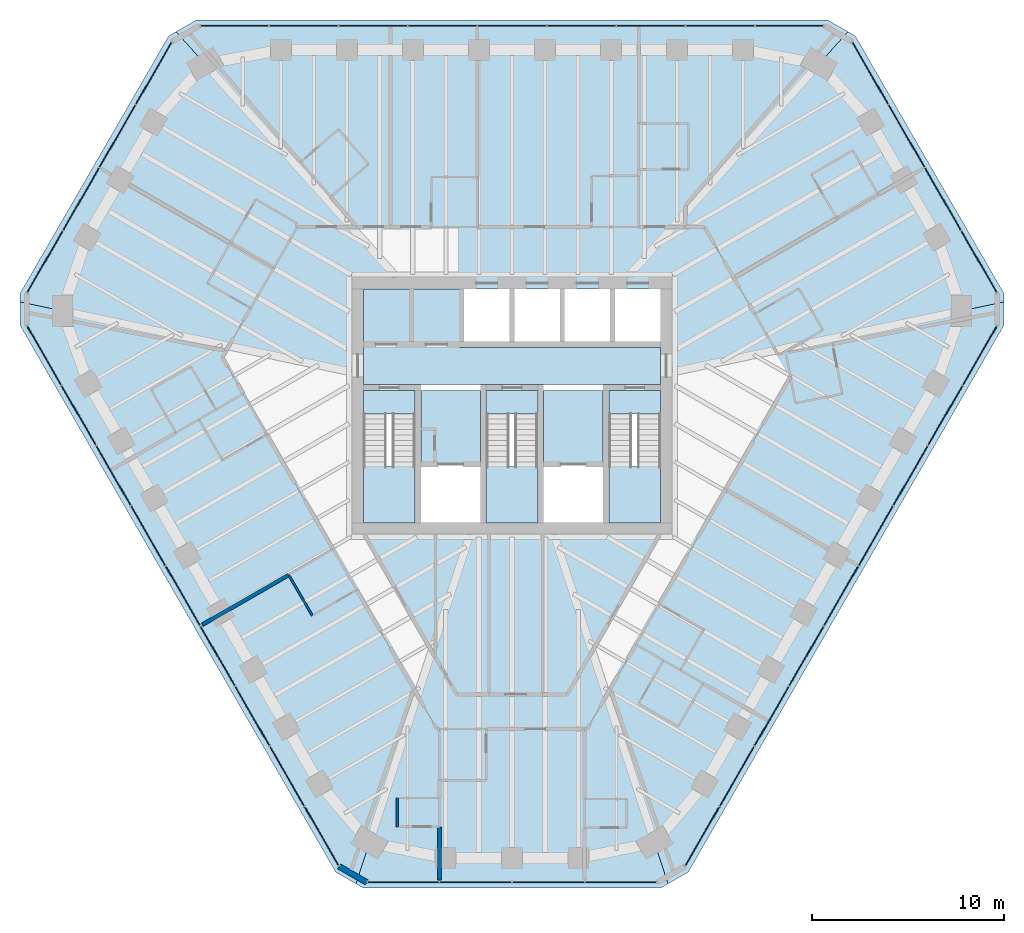
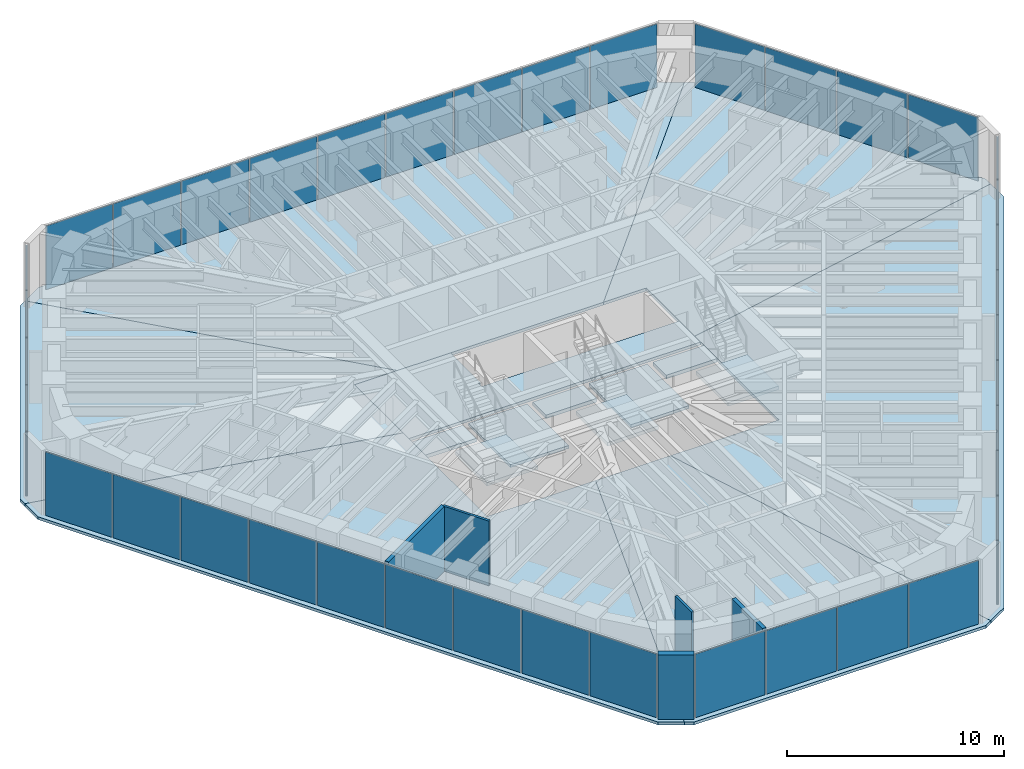
# One storey, part 8 of 14: 39 plates, 15 slabs, 5 walls, 9 elements without a shape of their own.
"""IFC4 building model written with IfcOpenShell, lengths in metres."""

from ifc_helpers import new_model, si_unit, direction, frame, frame_2d, origin, origin_2d, place, context, subcontext, project, spatial, polyline, rectangle, outline, extrude, material, layer, layer_set, type_object, element, aggregate, save


model = new_model("IFC4")

# Units and contexts
model_context = context("Model", 3, precision=1e-05, world=origin(), true_north=direction((0.0, 1.0)))
body_context = subcontext(model_context, "Body", "Model", "MODEL_VIEW")
ifc_project = project(units=[si_unit("LENGTHUNIT", "METRE"), si_unit("AREAUNIT", "SQUARE_METRE"), si_unit("VOLUMEUNIT", "CUBIC_METRE"), si_unit("PLANEANGLEUNIT", "RADIAN"), si_unit("MASSUNIT", "GRAM", prefix="KILO")], contexts=[model_context])

# Site, building, storey
site_placement = place(None, origin())
site = spatial("IfcSite", under=ifc_project, at=site_placement, CompositionType="ELEMENT")
building_placement = place(site_placement, origin())
building = spatial("IfcBuilding", under=site, at=building_placement, Name="Sandreach Pilgrim Tower", CompositionType="ELEMENT")
storey_placement = place(building_placement, frame((0.0, 0.0, 268.39990234375)))
storey = spatial("IfcBuildingStorey", under=building, at=storey_placement, Name="L67", CompositionType="ELEMENT", Elevation=268.39990234375)

# Curtain wall, plates
ifc_material_1 = material(Name="Aluminium framed curtain wall", Category="aluminium")
curtain_wall_type = type_object("IfcCurtainWallType", Name="Suite tower curtain wall", PredefinedType="NOTDEFINED", material=ifc_material_1)
curtain_wall_1_placement = place(storey_placement, origin())
curtain_wall_1 = element("IfcCurtainWall", 1, at=curtain_wall_1_placement, inside=storey, type_object=curtain_wall_type, Name="CW-4 L67 N", PredefinedType="NOTDEFINED")
ifc_material_2 = material(Name="Insulating glass unit 16.76 laminated + 24 argon + 16.76 laminated", Category="glass")
ifc_layer_1 = layer(ifc_material_2, 0.05810546875)
ifc_layer_set_1 = layer_set([ifc_layer_1], Name="CW-4 panel")
plate_type = type_object("IfcPlateType", Name="CW-4 panel", PredefinedType="CURTAIN_PANEL", material=ifc_layer_set_1)
plate_1_placement = place(storey_placement, frame((-14.472412109375, 19.826416015625, 0.0), z_axis=(0.0, 0.0, 1.0), x_axis=(1.0, 0.0, 0.0)))
plate_1 = element("IfcPlate", 2, at=plate_1_placement, type_object=plate_type, Name="CW-4 panel 1", PredefinedType="CURTAIN_PANEL", context=body_context, shape_type="SweptSolid", body=[
    extrude(rectangle(XDim=3.531982421875, YDim=0.05810546875, at=origin_2d()), origin(), (0.0, 0.0, 1.0), 3.570068359375),
])
plate_2_placement = place(storey_placement, frame((-10.865478515625, 19.826416015625, 0.0), z_axis=(0.0, 0.0, 1.0), x_axis=(1.0, 0.0, 0.0)))
plate_2 = element("IfcPlate", 3, at=plate_2_placement, type_object=plate_type, Name="CW-4 panel 2", PredefinedType="CURTAIN_PANEL", context=body_context, shape_type="SweptSolid", body=[
    extrude(rectangle(XDim=3.561767578125, YDim=0.05810546875, at=origin_2d()), origin(), (0.0, 0.0, 1.0), 3.570068359375),
])
plate_3_placement = place(storey_placement, frame((-7.24365234375, 19.826416015625, 0.0), z_axis=(0.0, 0.0, 1.0), x_axis=(1.0, 0.0, 0.0)))
plate_3 = element("IfcPlate", 4, at=plate_3_placement, type_object=plate_type, Name="CW-4 panel 3", PredefinedType="CURTAIN_PANEL", context=body_context, shape_type="SweptSolid", body=[
    extrude(rectangle(XDim=3.561767578125, YDim=0.05810546875, at=origin_2d()), origin(), (0.0, 0.0, 1.0), 3.570068359375),
])
plate_4_placement = place(storey_placement, frame((-3.621826171875, 19.826416015625, 0.0), z_axis=(0.0, 0.0, 1.0), x_axis=(1.0, 0.0, 0.0)))
plate_4 = element("IfcPlate", 5, at=plate_4_placement, type_object=plate_type, Name="CW-4 panel 4", PredefinedType="CURTAIN_PANEL", context=body_context, shape_type="SweptSolid", body=[
    extrude(rectangle(XDim=3.561767578125, YDim=0.05810546875, at=origin_2d()), origin(), (0.0, 0.0, 1.0), 3.570068359375),
])
plate_5_placement = place(storey_placement, frame((0.0, 19.826416015625, 0.0), z_axis=(0.0, 0.0, 1.0), x_axis=(1.0, 0.0, 0.0)))
plate_5 = element("IfcPlate", 6, at=plate_5_placement, type_object=plate_type, Name="CW-4 panel 5", PredefinedType="CURTAIN_PANEL", context=body_context, shape_type="SweptSolid", body=[
    extrude(rectangle(XDim=3.561767578125, YDim=0.05810546875, at=origin_2d()), origin(), (0.0, 0.0, 1.0), 3.570068359375),
])
plate_6_placement = place(storey_placement, frame((3.621826171875, 19.826416015625, 0.0), z_axis=(0.0, 0.0, 1.0), x_axis=(1.0, 0.0, 0.0)))
plate_6 = element("IfcPlate", 7, at=plate_6_placement, type_object=plate_type, Name="CW-4 panel 6", PredefinedType="CURTAIN_PANEL", context=body_context, shape_type="SweptSolid", body=[
    extrude(rectangle(XDim=3.561767578125, YDim=0.05810546875, at=origin_2d()), origin(), (0.0, 0.0, 1.0), 3.570068359375),
])
plate_7_placement = place(storey_placement, frame((7.24365234375, 19.826416015625, 0.0), z_axis=(0.0, 0.0, 1.0), x_axis=(1.0, 0.0, 0.0)))
plate_7 = element("IfcPlate", 8, at=plate_7_placement, type_object=plate_type, Name="CW-4 panel 7", PredefinedType="CURTAIN_PANEL", context=body_context, shape_type="SweptSolid", body=[
    extrude(rectangle(XDim=3.561767578125, YDim=0.05810546875, at=origin_2d()), origin(), (0.0, 0.0, 1.0), 3.570068359375),
])
plate_8_placement = place(storey_placement, frame((10.865478515625, 19.826416015625, 0.0), z_axis=(0.0, 0.0, 1.0), x_axis=(1.0, 0.0, 0.0)))
plate_8 = element("IfcPlate", 9, at=plate_8_placement, type_object=plate_type, Name="CW-4 panel 8", PredefinedType="CURTAIN_PANEL", context=body_context, shape_type="SweptSolid", body=[
    extrude(rectangle(XDim=3.561767578125, YDim=0.05810546875, at=origin_2d()), origin(), (0.0, 0.0, 1.0), 3.570068359375),
])
plate_9_placement = place(storey_placement, frame((14.472412109375, 19.826416015625, 0.0), z_axis=(0.0, 0.0, 1.0), x_axis=(1.0, 0.0, 0.0)))
plate_9 = element("IfcPlate", 10, at=plate_9_placement, type_object=plate_type, Name="CW-4 panel 9", PredefinedType="CURTAIN_PANEL", context=body_context, shape_type="SweptSolid", body=[
    extrude(rectangle(XDim=3.531982421875, YDim=0.05810546875, at=origin_2d()), origin(), (0.0, 0.0, 1.0), 3.570068359375),
])
aggregate(curtain_wall_1, [plate_1, plate_2, plate_3, plate_4, plate_5, plate_6, plate_7, plate_8, plate_9])

curtain_wall_2_placement = place(storey_placement, origin())
curtain_wall_2 = element("IfcCurtainWall", 11, at=curtain_wall_2_placement, inside=storey, type_object=curtain_wall_type, Name="CW-4 L67 NE", PredefinedType="NOTDEFINED")
plate_10_placement = place(storey_placement, frame((18.69140625, 17.341552734375, 0.0), z_axis=(0.0, 0.0, 1.0), x_axis=(0.5, -0.866025403784, 0.0)))
plate_10 = element("IfcPlate", 12, at=plate_10_placement, type_object=plate_type, Name="CW-4 panel 1", PredefinedType="CURTAIN_PANEL", context=body_context, shape_type="SweptSolid", body=[
    extrude(rectangle(XDim=3.70166015625, YDim=0.05810546875, at=origin_2d()), origin(), (0.0, 0.0, 1.0), 3.570068359375),
])
plate_11_placement = place(storey_placement, frame((20.579833984375, 14.07080078125, 0.0), z_axis=(0.0, 0.0, 1.0), x_axis=(0.5, -0.866025403784, 0.0)))
plate_11 = element("IfcPlate", 13, at=plate_11_placement, type_object=plate_type, Name="CW-4 panel 2", PredefinedType="CURTAIN_PANEL", context=body_context, shape_type="SweptSolid", body=[
    extrude(rectangle(XDim=3.731689453125, YDim=0.05810546875, at=origin_2d()), origin(), (0.0, 0.0, 1.0), 3.570068359375),
])
plate_12_placement = place(storey_placement, frame((22.4755859375, 10.787109375, 0.0), z_axis=(0.0, 0.0, 1.0), x_axis=(0.5, -0.866025403784, 0.0)))
plate_12 = element("IfcPlate", 14, at=plate_12_placement, type_object=plate_type, Name="CW-4 panel 3", PredefinedType="CURTAIN_PANEL", context=body_context, shape_type="SweptSolid", body=[
    extrude(rectangle(XDim=3.731689453125, YDim=0.05810546875, at=origin_2d()), origin(), (0.0, 0.0, 1.0), 3.570068359375),
])
plate_13_placement = place(storey_placement, frame((24.364013671875, 7.516357421875, 0.0), z_axis=(0.0, 0.0, 1.0), x_axis=(0.5, -0.866025403784, 0.0)))
plate_13 = element("IfcPlate", 15, at=plate_13_placement, type_object=plate_type, Name="CW-4 panel 4", PredefinedType="CURTAIN_PANEL", context=body_context, shape_type="SweptSolid", body=[
    extrude(rectangle(XDim=3.70166015625, YDim=0.05810546875, at=origin_2d()), origin(), (0.0, 0.0, 1.0), 3.570068359375),
])
aggregate(curtain_wall_2, [plate_10, plate_11, plate_12, plate_13])

curtain_wall_3_placement = place(storey_placement, origin())
curtain_wall_3 = element("IfcCurtainWall", 16, at=curtain_wall_3_placement, inside=storey, type_object=curtain_wall_type, Name="CW-4 L67 SE", PredefinedType="NOTDEFINED")
plate_14_placement = place(storey_placement, frame((24.406494140625, 2.620361328125, 0.0), z_axis=(0.0, 0.0, 1.0), x_axis=(-0.5, -0.866025403784, 0.0)))
plate_14 = element("IfcPlate", 17, at=plate_14_placement, type_object=plate_type, Name="CW-4 panel 1", PredefinedType="CURTAIN_PANEL", context=body_context, shape_type="SweptSolid", body=[
    extrude(rectangle(XDim=3.531982421875, YDim=0.05810546875, at=origin_2d()), origin(), (0.0, 0.0, 1.0), 3.570068359375),
])
plate_15_placement = place(storey_placement, frame((22.60302734375, -0.50341796875, 0.0), z_axis=(0.0, 0.0, 1.0), x_axis=(-0.5, -0.866025403784, 0.0)))
plate_15 = element("IfcPlate", 18, at=plate_15_placement, type_object=plate_type, Name="CW-4 panel 2", PredefinedType="CURTAIN_PANEL", context=body_context, shape_type="SweptSolid", body=[
    extrude(rectangle(XDim=3.561767578125, YDim=0.05810546875, at=origin_2d()), origin(), (0.0, 0.0, 1.0), 3.570068359375),
])
plate_16_placement = place(storey_placement, frame((20.7919921875, -3.639892578125, 0.0), z_axis=(0.0, 0.0, 1.0), x_axis=(-0.5, -0.866025403784, 0.0)))
plate_16 = element("IfcPlate", 19, at=plate_16_placement, type_object=plate_type, Name="CW-4 panel 3", PredefinedType="CURTAIN_PANEL", context=body_context, shape_type="SweptSolid", body=[
    extrude(rectangle(XDim=3.561767578125, YDim=0.05810546875, at=origin_2d()), origin(), (0.0, 0.0, 1.0), 3.570068359375),
])
plate_17_placement = place(storey_placement, frame((18.981201171875, -6.776611328125, 0.0), z_axis=(0.0, 0.0, 1.0), x_axis=(-0.5, -0.866025403784, 0.0)))
plate_17 = element("IfcPlate", 20, at=plate_17_placement, type_object=plate_type, Name="CW-4 panel 4", PredefinedType="CURTAIN_PANEL", context=body_context, shape_type="SweptSolid", body=[
    extrude(rectangle(XDim=3.561767578125, YDim=0.05810546875, at=origin_2d()), origin(), (0.0, 0.0, 1.0), 3.570068359375),
])
plate_18_placement = place(storey_placement, frame((17.170166015625, -9.913330078125, 0.0), z_axis=(0.0, 0.0, 1.0), x_axis=(-0.5, -0.866025403784, 0.0)))
plate_18 = element("IfcPlate", 21, at=plate_18_placement, type_object=plate_type, Name="CW-4 panel 5", PredefinedType="CURTAIN_PANEL", context=body_context, shape_type="SweptSolid", body=[
    extrude(rectangle(XDim=3.561767578125, YDim=0.05810546875, at=origin_2d()), origin(), (0.0, 0.0, 1.0), 3.570068359375),
])
plate_19_placement = place(storey_placement, frame((15.359375, -13.0498046875, 0.0), z_axis=(0.0, 0.0, 1.0), x_axis=(-0.5, -0.866025403784, 0.0)))
plate_19 = element("IfcPlate", 22, at=plate_19_placement, type_object=plate_type, Name="CW-4 panel 6", PredefinedType="CURTAIN_PANEL", context=body_context, shape_type="SweptSolid", body=[
    extrude(rectangle(XDim=3.561767578125, YDim=0.05810546875, at=origin_2d()), origin(), (0.0, 0.0, 1.0), 3.570068359375),
])
plate_20_placement = place(storey_placement, frame((13.54833984375, -16.1865234375, 0.0), z_axis=(0.0, 0.0, 1.0), x_axis=(-0.5, -0.866025403784, 0.0)))
plate_20 = element("IfcPlate", 23, at=plate_20_placement, type_object=plate_type, Name="CW-4 panel 7", PredefinedType="CURTAIN_PANEL", context=body_context, shape_type="SweptSolid", body=[
    extrude(rectangle(XDim=3.561767578125, YDim=0.05810546875, at=origin_2d()), origin(), (0.0, 0.0, 1.0), 3.570068359375),
])
plate_21_placement = place(storey_placement, frame((11.7373046875, -19.322998046875, 0.0), z_axis=(0.0, 0.0, 1.0), x_axis=(-0.5, -0.866025403784, 0.0)))
plate_21 = element("IfcPlate", 24, at=plate_21_placement, type_object=plate_type, Name="CW-4 panel 8", PredefinedType="CURTAIN_PANEL", context=body_context, shape_type="SweptSolid", body=[
    extrude(rectangle(XDim=3.561767578125, YDim=0.05810546875, at=origin_2d()), origin(), (0.0, 0.0, 1.0), 3.570068359375),
])
plate_22_placement = place(storey_placement, frame((9.93408203125, -22.44677734375, 0.0), z_axis=(0.0, 0.0, 1.0), x_axis=(-0.5, -0.866025403784, 0.0)))
plate_22 = element("IfcPlate", 25, at=plate_22_placement, type_object=plate_type, Name="CW-4 panel 9", PredefinedType="CURTAIN_PANEL", context=body_context, shape_type="SweptSolid", body=[
    extrude(rectangle(XDim=3.531982421875, YDim=0.05810546875, at=origin_2d()), origin(), (0.0, 0.0, 1.0), 3.570068359375),
])
aggregate(curtain_wall_3, [plate_14, plate_15, plate_16, plate_17, plate_18, plate_19, plate_20, plate_21, plate_22])

curtain_wall_4_placement = place(storey_placement, origin())
curtain_wall_4 = element("IfcCurtainWall", 26, at=curtain_wall_4_placement, inside=storey, type_object=curtain_wall_type, Name="CW-4 L67 S", PredefinedType="NOTDEFINED")
plate_23_placement = place(storey_placement, frame((5.672607421875, -24.858154296875, 0.0), z_axis=(0.0, 0.0, 1.0), x_axis=(-1.0, 0.0, 0.0)))
plate_23 = element("IfcPlate", 27, at=plate_23_placement, type_object=plate_type, Name="CW-4 panel 1", PredefinedType="CURTAIN_PANEL", context=body_context, shape_type="SweptSolid", body=[
    extrude(rectangle(XDim=3.70166015625, YDim=0.05810546875, at=origin_2d()), origin(), (0.0, 0.0, 1.0), 3.570068359375),
])
plate_24_placement = place(storey_placement, frame((1.895751953125, -24.858154296875, 0.0), z_axis=(0.0, 0.0, 1.0), x_axis=(-1.0, 0.0, 0.0)))
plate_24 = element("IfcPlate", 28, at=plate_24_placement, type_object=plate_type, Name="CW-4 panel 2", PredefinedType="CURTAIN_PANEL", context=body_context, shape_type="SweptSolid", body=[
    extrude(rectangle(XDim=3.731689453125, YDim=0.05810546875, at=origin_2d()), origin(), (0.0, 0.0, 1.0), 3.570068359375),
])
plate_25_placement = place(storey_placement, frame((-1.895751953125, -24.858154296875, 0.0), z_axis=(0.0, 0.0, 1.0), x_axis=(-1.0, 0.0, 0.0)))
plate_25 = element("IfcPlate", 29, at=plate_25_placement, type_object=plate_type, Name="CW-4 panel 3", PredefinedType="CURTAIN_PANEL", context=body_context, shape_type="SweptSolid", body=[
    extrude(rectangle(XDim=3.731689453125, YDim=0.05810546875, at=origin_2d()), origin(), (0.0, 0.0, 1.0), 3.570068359375),
])
plate_26_placement = place(storey_placement, frame((-5.672607421875, -24.858154296875, 0.0), z_axis=(0.0, 0.0, 1.0), x_axis=(-1.0, 0.0, 0.0)))
plate_26 = element("IfcPlate", 30, at=plate_26_placement, type_object=plate_type, Name="CW-4 panel 4", PredefinedType="CURTAIN_PANEL", context=body_context, shape_type="SweptSolid", body=[
    extrude(rectangle(XDim=3.70166015625, YDim=0.05810546875, at=origin_2d()), origin(), (0.0, 0.0, 1.0), 3.570068359375),
])
aggregate(curtain_wall_4, [plate_23, plate_24, plate_25, plate_26])

curtain_wall_5_placement = place(storey_placement, origin())
curtain_wall_5 = element("IfcCurtainWall", 31, at=curtain_wall_5_placement, inside=storey, type_object=curtain_wall_type, Name="CW-4 L67 SW", PredefinedType="NOTDEFINED")
plate_27_placement = place(storey_placement, frame((-9.93408203125, -22.44677734375, 0.0), z_axis=(0.0, 0.0, 1.0), x_axis=(-0.5, 0.866025403784, 0.0)))
plate_27 = element("IfcPlate", 32, at=plate_27_placement, type_object=plate_type, Name="CW-4 panel 1", PredefinedType="CURTAIN_PANEL", context=body_context, shape_type="SweptSolid", body=[
    extrude(rectangle(XDim=3.531982421875, YDim=0.05810546875, at=origin_2d()), origin(), (0.0, 0.0, 1.0), 3.570068359375),
])
plate_28_placement = place(storey_placement, frame((-11.7373046875, -19.322998046875, 0.0), z_axis=(0.0, 0.0, 1.0), x_axis=(-0.5, 0.866025403784, 0.0)))
plate_28 = element("IfcPlate", 33, at=plate_28_placement, type_object=plate_type, Name="CW-4 panel 2", PredefinedType="CURTAIN_PANEL", context=body_context, shape_type="SweptSolid", body=[
    extrude(rectangle(XDim=3.561767578125, YDim=0.05810546875, at=origin_2d()), origin(), (0.0, 0.0, 1.0), 3.570068359375),
])
plate_29_placement = place(storey_placement, frame((-13.54833984375, -16.1865234375, 0.0), z_axis=(0.0, 0.0, 1.0), x_axis=(-0.5, 0.866025403784, 0.0)))
plate_29 = element("IfcPlate", 34, at=plate_29_placement, type_object=plate_type, Name="CW-4 panel 3", PredefinedType="CURTAIN_PANEL", context=body_context, shape_type="SweptSolid", body=[
    extrude(rectangle(XDim=3.561767578125, YDim=0.05810546875, at=origin_2d()), origin(), (0.0, 0.0, 1.0), 3.570068359375),
])
plate_30_placement = place(storey_placement, frame((-15.359375, -13.0498046875, 0.0), z_axis=(0.0, 0.0, 1.0), x_axis=(-0.5, 0.866025403784, 0.0)))
plate_30 = element("IfcPlate", 35, at=plate_30_placement, type_object=plate_type, Name="CW-4 panel 4", PredefinedType="CURTAIN_PANEL", context=body_context, shape_type="SweptSolid", body=[
    extrude(rectangle(XDim=3.561767578125, YDim=0.05810546875, at=origin_2d()), origin(), (0.0, 0.0, 1.0), 3.570068359375),
])
plate_31_placement = place(storey_placement, frame((-17.170166015625, -9.913330078125, 0.0), z_axis=(0.0, 0.0, 1.0), x_axis=(-0.5, 0.866025403784, 0.0)))
plate_31 = element("IfcPlate", 36, at=plate_31_placement, type_object=plate_type, Name="CW-4 panel 5", PredefinedType="CURTAIN_PANEL", context=body_context, shape_type="SweptSolid", body=[
    extrude(rectangle(XDim=3.561767578125, YDim=0.05810546875, at=origin_2d()), origin(), (0.0, 0.0, 1.0), 3.570068359375),
])
plate_32_placement = place(storey_placement, frame((-18.981201171875, -6.776611328125, 0.0), z_axis=(0.0, 0.0, 1.0), x_axis=(-0.5, 0.866025403784, 0.0)))
plate_32 = element("IfcPlate", 37, at=plate_32_placement, type_object=plate_type, Name="CW-4 panel 6", PredefinedType="CURTAIN_PANEL", context=body_context, shape_type="SweptSolid", body=[
    extrude(rectangle(XDim=3.561767578125, YDim=0.05810546875, at=origin_2d()), origin(), (0.0, 0.0, 1.0), 3.570068359375),
])
plate_33_placement = place(storey_placement, frame((-20.7919921875, -3.639892578125, 0.0), z_axis=(0.0, 0.0, 1.0), x_axis=(-0.5, 0.866025403784, 0.0)))
plate_33 = element("IfcPlate", 38, at=plate_33_placement, type_object=plate_type, Name="CW-4 panel 7", PredefinedType="CURTAIN_PANEL", context=body_context, shape_type="SweptSolid", body=[
    extrude(rectangle(XDim=3.561767578125, YDim=0.05810546875, at=origin_2d()), origin(), (0.0, 0.0, 1.0), 3.570068359375),
])
plate_34_placement = place(storey_placement, frame((-22.60302734375, -0.50341796875, 0.0), z_axis=(0.0, 0.0, 1.0), x_axis=(-0.5, 0.866025403784, 0.0)))
plate_34 = element("IfcPlate", 39, at=plate_34_placement, type_object=plate_type, Name="CW-4 panel 8", PredefinedType="CURTAIN_PANEL", context=body_context, shape_type="SweptSolid", body=[
    extrude(rectangle(XDim=3.561767578125, YDim=0.05810546875, at=origin_2d()), origin(), (0.0, 0.0, 1.0), 3.570068359375),
])
plate_35_placement = place(storey_placement, frame((-24.406494140625, 2.620361328125, 0.0), z_axis=(0.0, 0.0, 1.0), x_axis=(-0.5, 0.866025403784, 0.0)))
plate_35 = element("IfcPlate", 40, at=plate_35_placement, type_object=plate_type, Name="CW-4 panel 9", PredefinedType="CURTAIN_PANEL", context=body_context, shape_type="SweptSolid", body=[
    extrude(rectangle(XDim=3.531982421875, YDim=0.05810546875, at=origin_2d()), origin(), (0.0, 0.0, 1.0), 3.570068359375),
])
aggregate(curtain_wall_5, [plate_27, plate_28, plate_29, plate_30, plate_31, plate_32, plate_33, plate_34, plate_35])

curtain_wall_6_placement = place(storey_placement, origin())
curtain_wall_6 = element("IfcCurtainWall", 41, at=curtain_wall_6_placement, inside=storey, type_object=curtain_wall_type, Name="CW-4 L67 NW", PredefinedType="NOTDEFINED")
plate_36_placement = place(storey_placement, frame((-24.364013671875, 7.516357421875, 0.0), z_axis=(0.0, 0.0, 1.0), x_axis=(0.5, 0.866025403784, 0.0)))
plate_36 = element("IfcPlate", 42, at=plate_36_placement, type_object=plate_type, Name="CW-4 panel 1", PredefinedType="CURTAIN_PANEL", context=body_context, shape_type="SweptSolid", body=[
    extrude(rectangle(XDim=3.70166015625, YDim=0.05810546875, at=origin_2d()), origin(), (0.0, 0.0, 1.0), 3.570068359375),
])
plate_37_placement = place(storey_placement, frame((-22.4755859375, 10.787109375, 0.0), z_axis=(0.0, 0.0, 1.0), x_axis=(0.5, 0.866025403784, 0.0)))
plate_37 = element("IfcPlate", 43, at=plate_37_placement, type_object=plate_type, Name="CW-4 panel 2", PredefinedType="CURTAIN_PANEL", context=body_context, shape_type="SweptSolid", body=[
    extrude(rectangle(XDim=3.731689453125, YDim=0.05810546875, at=origin_2d()), origin(), (0.0, 0.0, 1.0), 3.570068359375),
])
plate_38_placement = place(storey_placement, frame((-20.579833984375, 14.07080078125, 0.0), z_axis=(0.0, 0.0, 1.0), x_axis=(0.5, 0.866025403784, 0.0)))
plate_38 = element("IfcPlate", 44, at=plate_38_placement, type_object=plate_type, Name="CW-4 panel 3", PredefinedType="CURTAIN_PANEL", context=body_context, shape_type="SweptSolid", body=[
    extrude(rectangle(XDim=3.731689453125, YDim=0.05810546875, at=origin_2d()), origin(), (0.0, 0.0, 1.0), 3.570068359375),
])
plate_39_placement = place(storey_placement, frame((-18.69140625, 17.341552734375, 0.0), z_axis=(0.0, 0.0, 1.0), x_axis=(0.5, 0.866025403784, 0.0)))
plate_39 = element("IfcPlate", 45, at=plate_39_placement, type_object=plate_type, Name="CW-4 panel 4", PredefinedType="CURTAIN_PANEL", context=body_context, shape_type="SweptSolid", body=[
    extrude(rectangle(XDim=3.70166015625, YDim=0.05810546875, at=origin_2d()), origin(), (0.0, 0.0, 1.0), 3.570068359375),
])
aggregate(curtain_wall_6, [plate_36, plate_37, plate_38, plate_39])

# Slabs
ifc_material_3 = material(Name="Concrete 8000 psi", Category="concrete")
ifc_layer_2 = layer(ifc_material_3, 0.159912109375)
ifc_layer_set_2 = layer_set([ifc_layer_2], Name="Composite floor slab 160")
slab_type_1 = type_object("IfcSlabType", Name="Composite floor slab 160", PredefinedType="FLOOR", material=ifc_layer_set_2)
slab_1_placement = place(storey_placement, frame((0.0, 0.0, -0.159912109375)))
element("IfcSlab", 46, at=slab_1_placement, inside=storey, type_object=slab_type_1, Name="Floor slab L67 N sector", PredefinedType="FLOOR", context=body_context, shape_type="SweptSolid", body=[
    extrude(outline(polyline([(-16.4716796875, 20.12646484375), (16.4716796875, 20.12646484375), (17.52587890625, 19.517822265625), (5.477294921875, 6.10009765625), (-5.477294921875, 6.10009765625), (-17.52587890625, 19.517822265625), (-16.4716796875, 20.12646484375)])), origin(), (0.0, 0.0, 1.0), 0.159912109375),
])
slab_2_placement = place(storey_placement, frame((0.0, 0.0, -0.159912109375)))
element("IfcSlab", 47, at=slab_2_placement, inside=storey, type_object=slab_type_1, Name="Floor slab L67 NE sector", PredefinedType="FLOOR", context=body_context, shape_type="SweptSolid", body=[
    extrude(outline(polyline([(17.9091796875, 19.29638671875), (25.665771484375, 5.861572265625), (25.665771484375, 5.4189453125), (7.75, 1.63623046875), (7.75, 6.10009765625), (5.477294921875, 6.10009765625), (17.52587890625, 19.517822265625), (17.9091796875, 19.29638671875)])), origin(), (0.0, 0.0, 1.0), 0.159912109375),
])
slab_3_placement = place(storey_placement, frame((0.0, 0.0, -0.159912109375)))
element("IfcSlab", 48, at=slab_3_placement, inside=storey, type_object=slab_type_1, Name="Floor slab L67 SE sector", PredefinedType="FLOOR", context=body_context, shape_type="SweptSolid", body=[
    extrude(outline(polyline([(25.665771484375, 4.20166015625), (9.194091796875, -24.327880859375), (8.139892578125, -24.936767578125), (1.9912109375, -6.10009765625), (7.75, -6.10009765625), (7.75, 1.63623046875), (25.665771484375, 5.4189453125), (25.665771484375, 4.20166015625)])), origin(), (0.0, 0.0, 1.0), 0.159912109375),
])
slab_4_placement = place(storey_placement, frame((0.0, 0.0, -0.159912109375)))
element("IfcSlab", 49, at=slab_4_placement, inside=storey, type_object=slab_type_1, Name="Floor slab L67 S sector", PredefinedType="FLOOR", context=body_context, shape_type="SweptSolid", body=[
    extrude(outline(polyline([(7.756591796875, -25.157958984375), (-7.756591796875, -25.157958984375), (-8.139892578125, -24.936767578125), (-1.9912109375, -6.10009765625), (1.9912109375, -6.10009765625), (8.139892578125, -24.936767578125), (7.756591796875, -25.157958984375)])), origin(), (0.0, 0.0, 1.0), 0.159912109375),
])
slab_5_placement = place(storey_placement, frame((0.0, 0.0, -0.159912109375)))
element("IfcSlab", 50, at=slab_5_placement, inside=storey, type_object=slab_type_1, Name="Floor slab L67 SW sector", PredefinedType="FLOOR", context=body_context, shape_type="SweptSolid", body=[
    extrude(outline(polyline([(-9.194091796875, -24.327880859375), (-25.665771484375, 4.20166015625), (-25.665771484375, 5.4189453125), (-7.75, 1.63623046875), (-7.75, -6.10009765625), (-1.9912109375, -6.10009765625), (-8.139892578125, -24.936767578125), (-9.194091796875, -24.327880859375)])), origin(), (0.0, 0.0, 1.0), 0.159912109375),
])
slab_6_placement = place(storey_placement, frame((0.0, 0.0, -0.159912109375)))
element("IfcSlab", 51, at=slab_6_placement, inside=storey, type_object=slab_type_1, Name="Floor slab L67 NW sector", PredefinedType="FLOOR", context=body_context, shape_type="SweptSolid", body=[
    extrude(outline(polyline([(-25.665771484375, 5.861572265625), (-17.9091796875, 19.29638671875), (-17.52587890625, 19.517822265625), (-5.477294921875, 6.10009765625), (-7.75, 6.10009765625), (-7.75, 1.63623046875), (-25.665771484375, 5.4189453125), (-25.665771484375, 5.861572265625)])), origin(), (0.0, 0.0, 1.0), 0.159912109375),
])
slab_7_placement = place(storey_placement, frame((0.0, 0.0, -0.159912109375)))
element("IfcSlab", 52, at=slab_7_placement, inside=storey, type_object=slab_type_1, Name="Core floor slab and stores L67", PredefinedType="FLOOR", context=body_context, shape_type="SweptSolid", body=[
    extrude(outline(polyline([(-2.75, 3.35009765625), (-2.75, 3.050048828125), (-0.125, 3.050048828125), (0.125, 3.050048828125), (2.5, 3.050048828125), (2.75, 3.050048828125), (5.125, 3.050048828125), (5.375, 3.050048828125), (7.75, 3.050048828125), (7.75, 1.10009765625), (5.050048828125, 1.10009765625), (4.75, 1.10009765625), (1.64990234375, 1.10009765625), (1.35009765625, 1.10009765625), (-1.35009765625, 1.10009765625), (-1.64990234375, 1.10009765625), (-4.75, 1.10009765625), (-5.050048828125, 1.10009765625), (-7.75, 1.10009765625), (-7.75, 6.10009765625), (-2.64990234375, 6.10009765625), (-2.64990234375, 3.35009765625), (-2.75, 3.35009765625)])), origin(), (0.0, 0.0, 1.0), 0.159912109375),
])
slab_8_placement = place(storey_placement, frame((0.0, 0.0, -0.159912109375)))
element("IfcSlab", 53, at=slab_8_placement, inside=storey, type_object=slab_type_1, Name="Core floor slab and stores L67 2", PredefinedType="FLOOR", context=body_context, shape_type="SweptSolid", body=[
    extrude(outline(polyline([(-1.64990234375, -3.050048828125), (-4.75, -3.050048828125), (-4.75, 0.800048828125), (-1.64990234375, 0.800048828125), (-1.64990234375, -3.050048828125)])), origin(), (0.0, 0.0, 1.0), 0.159912109375),
])
slab_9_placement = place(storey_placement, frame((0.0, 0.0, -0.159912109375)))
element("IfcSlab", 54, at=slab_9_placement, inside=storey, type_object=slab_type_1, Name="Core floor slab and stores L67 3", PredefinedType="FLOOR", context=body_context, shape_type="SweptSolid", body=[
    extrude(outline(polyline([(4.75, -3.050048828125), (1.64990234375, -3.050048828125), (1.64990234375, 0.800048828125), (4.75, 0.800048828125), (4.75, -3.050048828125)])), origin(), (0.0, 0.0, 1.0), 0.159912109375),
])

# Stair, slabs
ifc_material_4 = material(Name="Concrete 8000 psi", Category="concrete")
stair_type = type_object("IfcStairType", Name="Core exit stair", PredefinedType="HALF_TURN_STAIR", material=ifc_material_4)
stair_1_placement = place(storey_placement, origin())
stair_1 = element("IfcStair", 55, at=stair_1_placement, inside=storey, type_object=stair_type, Name="Exit stair ST1 L67", PredefinedType="HALF_TURN_STAIR")
ifc_material_5 = material(Name="Concrete 8000 psi", Category="concrete")
ifc_layer_3 = layer(ifc_material_5, 0.199951171875)
ifc_layer_set_3 = layer_set([ifc_layer_3], Name="Core stair landing 200")
slab_type_2 = type_object("IfcSlabType", Name="Core stair landing 200", PredefinedType="LANDING", material=ifc_layer_set_3)
slab_10_placement = place(storey_placement, frame((0.0, 0.0, -0.199951171875)))
slab_10 = element("IfcSlab", 56, at=slab_10_placement, type_object=slab_type_2, Name="ST1 landing 1", PredefinedType="LANDING", context=body_context, shape_type="SweptSolid", body=[
    extrude(outline(polyline([(-7.75, -0.425048828125), (-5.050048828125, -0.425048828125), (-5.050048828125, 0.800048828125), (-7.75, 0.800048828125), (-7.75, -0.425048828125)])), origin(), (0.0, 0.0, 1.0), 0.199951171875),
])
slab_11_placement = place(storey_placement, frame((0.0, 0.0, 1.7001953125)))
slab_11 = element("IfcSlab", 57, at=slab_11_placement, type_object=slab_type_2, Name="ST1 landing 2", PredefinedType="LANDING", context=body_context, shape_type="SweptSolid", body=[
    extrude(outline(polyline([(-7.75, -6.10009765625), (-5.050048828125, -6.10009765625), (-5.050048828125, -3.175048828125), (-7.75, -3.175048828125), (-7.75, -6.10009765625)])), origin(), (0.0, 0.0, 1.0), 0.199951171875),
])
aggregate(stair_1, [slab_10, slab_11])

stair_2_placement = place(storey_placement, origin())
stair_2 = element("IfcStair", 58, at=stair_2_placement, inside=storey, type_object=stair_type, Name="Exit stair ST3 L67", PredefinedType="HALF_TURN_STAIR")
slab_12_placement = place(storey_placement, frame((0.0, 0.0, -0.199951171875)))
slab_12 = element("IfcSlab", 59, at=slab_12_placement, type_object=slab_type_2, Name="ST3 landing 1", PredefinedType="LANDING", context=body_context, shape_type="SweptSolid", body=[
    extrude(outline(polyline([(-1.35009765625, -0.425048828125), (1.35009765625, -0.425048828125), (1.35009765625, 0.800048828125), (-1.35009765625, 0.800048828125), (-1.35009765625, -0.425048828125)])), origin(), (0.0, 0.0, 1.0), 0.199951171875),
])
slab_13_placement = place(storey_placement, frame((0.0, 0.0, 1.7001953125)))
slab_13 = element("IfcSlab", 60, at=slab_13_placement, type_object=slab_type_2, Name="ST3 landing 2", PredefinedType="LANDING", context=body_context, shape_type="SweptSolid", body=[
    extrude(outline(polyline([(-1.35009765625, -6.10009765625), (1.35009765625, -6.10009765625), (1.35009765625, -3.175048828125), (-1.35009765625, -3.175048828125), (-1.35009765625, -6.10009765625)])), origin(), (0.0, 0.0, 1.0), 0.199951171875),
])
aggregate(stair_2, [slab_12, slab_13])

stair_3_placement = place(storey_placement, origin())
stair_3 = element("IfcStair", 61, at=stair_3_placement, inside=storey, type_object=stair_type, Name="Exit stair ST2 L67", PredefinedType="HALF_TURN_STAIR")
slab_14_placement = place(storey_placement, frame((0.0, 0.0, -0.199951171875)))
slab_14 = element("IfcSlab", 62, at=slab_14_placement, type_object=slab_type_2, Name="ST2 landing 1", PredefinedType="LANDING", context=body_context, shape_type="SweptSolid", body=[
    extrude(outline(polyline([(5.050048828125, -0.425048828125), (7.75, -0.425048828125), (7.75, 0.800048828125), (5.050048828125, 0.800048828125), (5.050048828125, -0.425048828125)])), origin(), (0.0, 0.0, 1.0), 0.199951171875),
])
slab_15_placement = place(storey_placement, frame((0.0, 0.0, 1.7001953125)))
slab_15 = element("IfcSlab", 63, at=slab_15_placement, type_object=slab_type_2, Name="ST2 landing 2", PredefinedType="LANDING", context=body_context, shape_type="SweptSolid", body=[
    extrude(outline(polyline([(5.050048828125, -6.10009765625), (7.75, -6.10009765625), (7.75, -3.175048828125), (5.050048828125, -3.175048828125), (5.050048828125, -6.10009765625)])), origin(), (0.0, 0.0, 1.0), 0.199951171875),
])
aggregate(stair_3, [slab_14, slab_15])

# Walls
ifc_material_6 = material(Name="Moisture-resistant gypsum board on steel studs", Category="steel")
ifc_layer_4 = layer(ifc_material_6, 0.1201171875)
ifc_layer_set_4 = layer_set([ifc_layer_4], Name="Bathroom partition 120")
wall_type_1 = type_object("IfcWallType", Name="Bathroom partition 120", PredefinedType="PARTITIONING", material=ifc_layer_set_4)
wall_1_placement = place(storey_placement, frame((-11.64990234375, -8.820068359375, 0.0), z_axis=(0.0, 0.0, 1.0), x_axis=(0.501856726365, -0.86495076519, 0.0)))
element("IfcWall", 64, at=wall_1_placement, inside=storey, type_object=wall_type_1, Name="Bathroom partition L67-025", PredefinedType="PARTITIONING", context=body_context, shape_type="SweptSolid", body=[
    extrude(rectangle(XDim=2.450927734375, YDim=0.1201171875, at=frame_2d((1.2255859375, 0.0))), origin(), (0.0, 0.0, 1.0), 3.64013671875),
])
wall_2_placement = place(storey_placement, frame((-5.989990234375, -20.4599609375, 0.0), z_axis=(0.0, 0.0, 1.0), x_axis=(0.0, -1.0, 0.0)))
element("IfcWall", 65, at=wall_2_placement, inside=storey, type_object=wall_type_1, Name="Bathroom partition L67-043", PredefinedType="PARTITIONING", context=body_context, shape_type="SweptSolid", body=[
    extrude(rectangle(XDim=1.5, YDim=0.1201171875, at=frame_2d((0.75, 0.0))), origin(), (0.0, 0.0, 1.0), 3.64013671875),
])
ifc_material_7 = material(Name="Double steel stud acoustic wall, gypsum board", Category="steel")
ifc_layer_5 = layer(ifc_material_7, 0.199951171875)
ifc_layer_set_5 = layer_set([ifc_layer_5], Name="Party wall 200")
wall_type_2 = type_object("IfcWallType", Name="Party wall 200", PredefinedType="PARTITIONING", material=ifc_layer_set_5)
wall_3_placement = place(storey_placement, frame((-16.156005859375, -11.419921875, 0.0), z_axis=(0.0, 0.0, 1.0), x_axis=(0.866170741273, 0.499748183552, 0.0)))
element("IfcWall", 66, at=wall_3_placement, inside=storey, type_object=wall_type_2, Name="Party wall L67-010", PredefinedType="PARTITIONING", context=body_context, shape_type="SweptSolid", body=[
    extrude(rectangle(XDim=5.202392578125, YDim=0.199951171875, at=frame_2d((2.60107421875, 0.0))), origin(), (0.0, 0.0, 1.0), 3.64013671875),
])
wall_4_placement = place(storey_placement, frame((-3.7900390625, -24.739990234375, 0.0), z_axis=(0.0, 0.0, 1.0), x_axis=(0.0, 1.0, 0.0)))
element("IfcWall", 67, at=wall_4_placement, inside=storey, type_object=wall_type_2, Name="Party wall L67-051", PredefinedType="PARTITIONING", context=body_context, shape_type="SweptSolid", body=[
    extrude(rectangle(XDim=2.780029296875, YDim=0.199951171875, at=frame_2d((1.39013671875, 0.0))), origin(), (0.0, 0.0, 1.0), 3.64013671875),
])
ifc_material_8 = material(Name="Terracotta rainscreen on concrete", Category="masonry")
ifc_layer_6 = layer(ifc_material_8, 0.300048828125)
ifc_layer_set_6 = layer_set([ifc_layer_6], Name="Terracotta chamfer pier")
wall_type_3 = type_object("IfcWallType", Name="Terracotta chamfer pier", PredefinedType="SOLIDWALL", material=ifc_layer_set_6)
wall_5_placement = place(storey_placement, frame((-7.58349609375, -24.858154296875, 0.0), z_axis=(0.0, 0.0, 1.0), x_axis=(-0.865989634427, 0.500061949227, 0.0)))
element("IfcWall", 68, at=wall_5_placement, inside=storey, type_object=wall_type_3, Name="Chamfer pier L67 S", PredefinedType="SOLIDWALL", context=body_context, shape_type="SweptSolid", body=[
    extrude(rectangle(XDim=1.659912109375, YDim=0.300048828125, at=frame_2d((0.830078125, 0.0))), origin(), (0.0, 0.0, 1.0), 3.64013671875),
])

save(model, "model.ifc")
